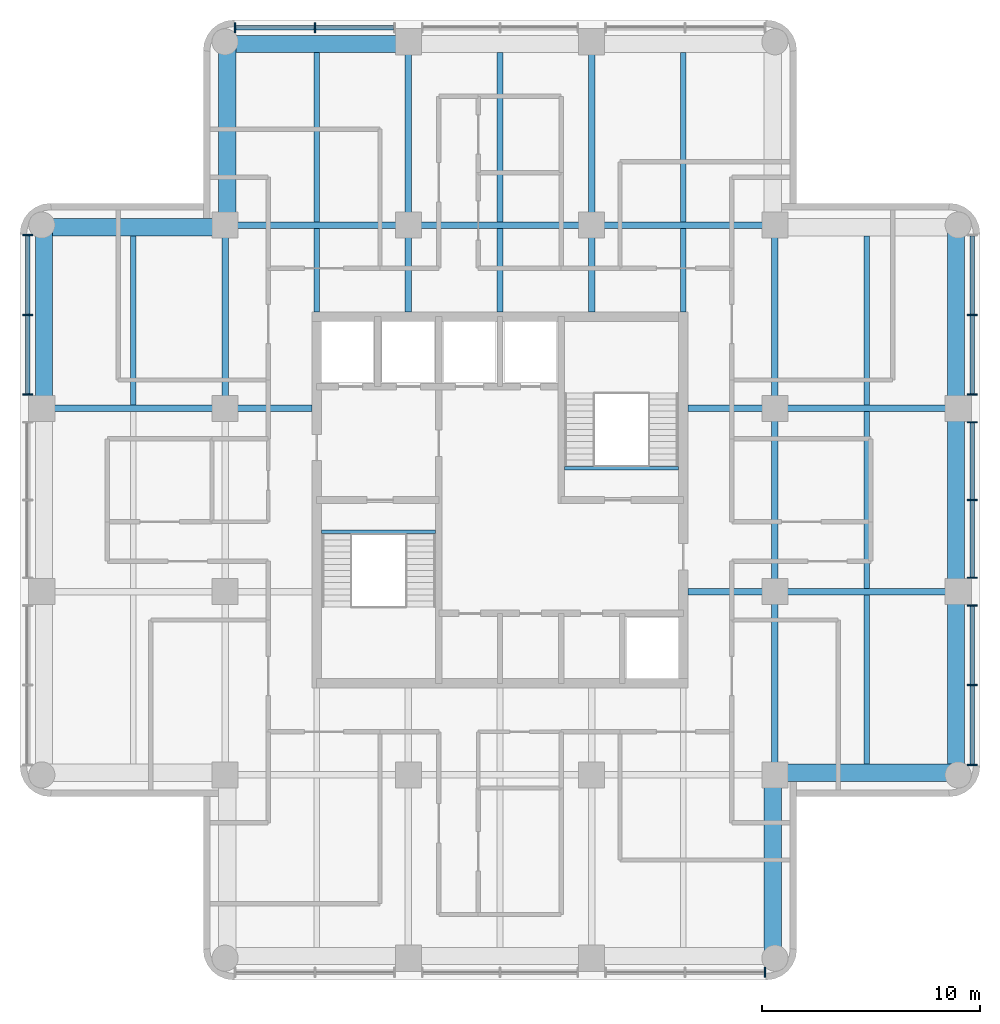
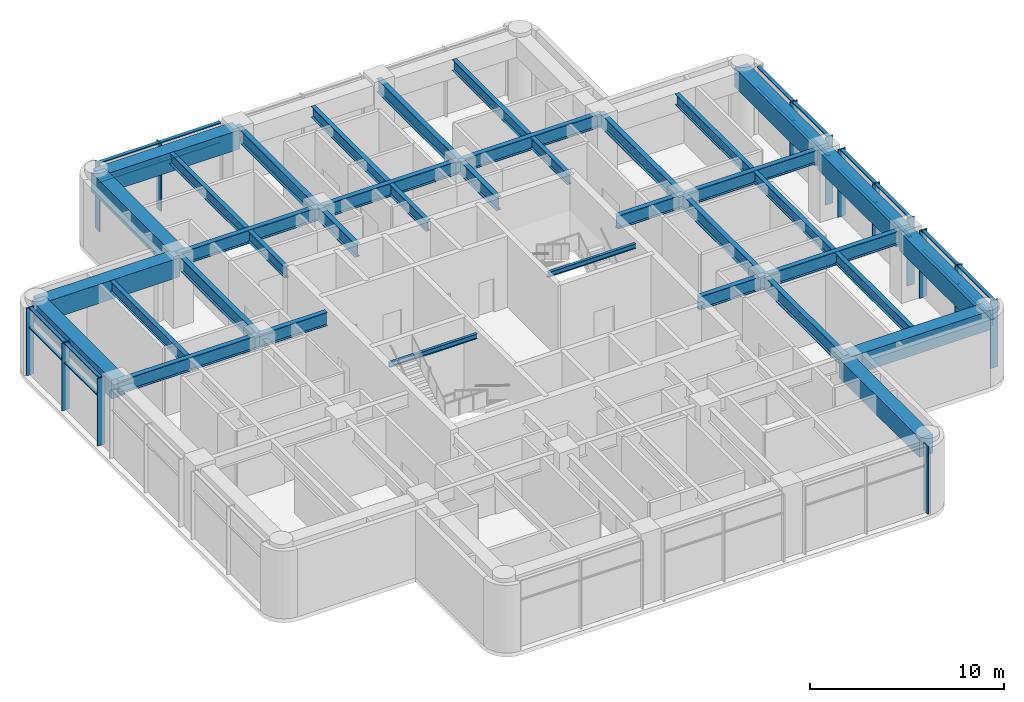
# One storey, part 2 of 8: 38 beams, 34 members, 4 elements without a shape of their own.
"""IFC4 building model written with IfcOpenShell, lengths in metres."""

from ifc_helpers import new_model, si_unit, direction, frame, origin, origin_2d, place, context, subcontext, project, spatial, rectangle, i_section, extrude, material, material_profile, profile_set, type_object, element, aggregate, save


model = new_model("IFC4")

# Units and contexts
model_context = context("Model", 3, precision=1e-05, world=origin(), true_north=direction((0.0, 1.0)))
body_context = subcontext(model_context, "Body", "Model", "MODEL_VIEW")
ifc_project = project(units=[si_unit("LENGTHUNIT", "METRE"), si_unit("AREAUNIT", "SQUARE_METRE"), si_unit("VOLUMEUNIT", "CUBIC_METRE"), si_unit("PLANEANGLEUNIT", "RADIAN"), si_unit("MASSUNIT", "GRAM", prefix="KILO")], contexts=[model_context])

# Site, building, storey
site_placement = place(None, origin())
site = spatial("IfcSite", under=ifc_project, at=site_placement, CompositionType="ELEMENT")
building_placement = place(site_placement, origin())
building = spatial("IfcBuilding", under=site, at=building_placement, Name="Torre Alcanfor", CompositionType="ELEMENT")
storey_placement = place(building_placement, frame((0.0, 0.0, 300.89990234375)))
storey = spatial("IfcBuildingStorey", under=building, at=storey_placement, Name="L79", CompositionType="ELEMENT", Elevation=300.89990234375)

# Curtain wall, members
ifc_material_1 = material(Name="Aluminium and glass", Category="aluminium")
curtain_wall_type = type_object("IfcCurtainWallType", Name="CW-E crown screen", PredefinedType="NOTDEFINED", material=ifc_material_1)
curtain_wall_1_placement = place(storey_placement, origin())
curtain_wall_1 = element("IfcCurtainWall", 1, at=curtain_wall_1_placement, inside=storey, type_object=curtain_wall_type, Name="Curtain wall CW-E L79 2", PredefinedType="NOTDEFINED")
ifc_material_2 = material(Name="Bronze anodised aluminium", Category="aluminium")
ifc_material_profile_1 = material_profile(ifc_material_2, rectangle(XDim=0.449951171875, YDim=0.06494140625, at=origin_2d()), Name="CW-E mullion 65x450")
ifc_profile_set_1 = profile_set([ifc_material_profile_1], Name="Bronze anodised aluminium")
member_type_1 = type_object("IfcMemberType", Name="CW-E mullion with vertical FIN 65x450", PredefinedType="MULLION", material=ifc_profile_set_1)
member_1_placement = place(storey_placement, frame((7.75, 41.537109375, 0.0), z_axis=(0.0, 0.0, 1.0), x_axis=(1.0, 0.0, 0.0)))
member_1 = element("IfcMember", 2, at=member_1_placement, type_object=member_type_1, Name="CW-E mullion 1.1", PredefinedType="MULLION", context=body_context, shape_type="SweptSolid", body=[
    extrude(rectangle(XDim=0.449951171875, YDim=0.06494140625, at=origin_2d()), origin(), (0.0, 0.0, 1.0), 4.25),
])
member_2_placement = place(storey_placement, frame((7.75, 37.88720703125, 0.0), z_axis=(0.0, 0.0, 1.0), x_axis=(1.0, 0.0, 0.0)))
member_2 = element("IfcMember", 3, at=member_2_placement, type_object=member_type_1, Name="CW-E mullion 1.2", PredefinedType="MULLION", context=body_context, shape_type="SweptSolid", body=[
    extrude(rectangle(XDim=0.449951171875, YDim=0.06494140625, at=origin_2d()), origin(), (0.0, 0.0, 1.0), 4.25),
])
member_3_placement = place(storey_placement, frame((7.75, 34.237548828125, 0.0), z_axis=(0.0, 0.0, 1.0), x_axis=(1.0, 0.0, 0.0)))
member_3 = element("IfcMember", 4, at=member_3_placement, type_object=member_type_1, Name="CW-E mullion 1.3", PredefinedType="MULLION", context=body_context, shape_type="SweptSolid", body=[
    extrude(rectangle(XDim=0.449951171875, YDim=0.06494140625, at=origin_2d()), origin(), (0.0, 0.0, 1.0), 4.25),
])

# Curtain wall, member
curtain_wall_2_placement = place(storey_placement, origin())
curtain_wall_2 = element("IfcCurtainWall", 5, at=curtain_wall_2_placement, inside=storey, type_object=curtain_wall_type, Name="Curtain wall CW-E L79 5", PredefinedType="NOTDEFINED")
member_4_placement = place(storey_placement, frame((41.537109375, 7.75, 0.0), z_axis=(0.0, 0.0, 1.0), x_axis=(0.0, 1.0, 0.0)))
member_4 = element("IfcMember", 6, at=member_4_placement, type_object=member_type_1, Name="CW-E mullion 3.3", PredefinedType="MULLION", context=body_context, shape_type="SweptSolid", body=[
    extrude(rectangle(XDim=0.449951171875, YDim=0.06494140625, at=origin_2d()), origin(), (0.0, 0.0, 1.0), 4.25),
])
aggregate(curtain_wall_2, [member_4])

# Curtain wall, members
curtain_wall_3_placement = place(storey_placement, origin())
curtain_wall_3 = element("IfcCurtainWall", 7, at=curtain_wall_3_placement, inside=storey, type_object=curtain_wall_type, Name="Curtain wall CW-E L79 8", PredefinedType="NOTDEFINED")
member_5_placement = place(storey_placement, frame((51.050048828125, 17.262939453125, 0.0), z_axis=(0.0, 0.0, 1.0), x_axis=(-1.0, 0.0, 0.0)))
member_5 = element("IfcMember", 8, at=member_5_placement, type_object=member_type_1, Name="CW-E mullion 1.1", PredefinedType="MULLION", context=body_context, shape_type="SweptSolid", body=[
    extrude(rectangle(XDim=0.449951171875, YDim=0.06494140625, at=origin_2d()), origin(), (0.0, 0.0, 1.0), 4.25),
])
member_6_placement = place(storey_placement, frame((51.050048828125, 20.912841796875, 0.0), z_axis=(0.0, 0.0, 1.0), x_axis=(-1.0, 0.0, 0.0)))
member_6 = element("IfcMember", 9, at=member_6_placement, type_object=member_type_1, Name="CW-E mullion 1.2", PredefinedType="MULLION", context=body_context, shape_type="SweptSolid", body=[
    extrude(rectangle(XDim=0.449951171875, YDim=0.06494140625, at=origin_2d()), origin(), (0.0, 0.0, 1.0), 4.25),
])
member_7_placement = place(storey_placement, frame((51.050048828125, 24.5625, 0.0), z_axis=(0.0, 0.0, 1.0), x_axis=(-1.0, 0.0, 0.0)))
member_7 = element("IfcMember", 10, at=member_7_placement, type_object=member_type_1, Name="CW-E mullion 1.3", PredefinedType="MULLION", context=body_context, shape_type="SweptSolid", body=[
    extrude(rectangle(XDim=0.449951171875, YDim=0.06494140625, at=origin_2d()), origin(), (0.0, 0.0, 1.0), 4.25),
])
member_8_placement = place(storey_placement, frame((51.050048828125, 25.83740234375, 0.0), z_axis=(0.0, 0.0, 1.0), x_axis=(-1.0, 0.0, 0.0)))
member_8 = element("IfcMember", 11, at=member_8_placement, type_object=member_type_1, Name="CW-E mullion 2.1", PredefinedType="MULLION", context=body_context, shape_type="SweptSolid", body=[
    extrude(rectangle(XDim=0.449951171875, YDim=0.06494140625, at=origin_2d()), origin(), (0.0, 0.0, 1.0), 4.25),
])
member_9_placement = place(storey_placement, frame((51.050048828125, 29.39990234375, 0.0), z_axis=(0.0, 0.0, 1.0), x_axis=(-1.0, 0.0, 0.0)))
member_9 = element("IfcMember", 12, at=member_9_placement, type_object=member_type_1, Name="CW-E mullion 2.2", PredefinedType="MULLION", context=body_context, shape_type="SweptSolid", body=[
    extrude(rectangle(XDim=0.449951171875, YDim=0.06494140625, at=origin_2d()), origin(), (0.0, 0.0, 1.0), 4.25),
])
member_10_placement = place(storey_placement, frame((51.050048828125, 32.96240234375, 0.0), z_axis=(0.0, 0.0, 1.0), x_axis=(-1.0, 0.0, 0.0)))
member_10 = element("IfcMember", 13, at=member_10_placement, type_object=member_type_1, Name="CW-E mullion 2.3", PredefinedType="MULLION", context=body_context, shape_type="SweptSolid", body=[
    extrude(rectangle(XDim=0.449951171875, YDim=0.06494140625, at=origin_2d()), origin(), (0.0, 0.0, 1.0), 4.25),
])
member_11_placement = place(storey_placement, frame((51.050048828125, 34.237548828125, 0.0), z_axis=(0.0, 0.0, 1.0), x_axis=(-1.0, 0.0, 0.0)))
member_11 = element("IfcMember", 14, at=member_11_placement, type_object=member_type_1, Name="CW-E mullion 3.1", PredefinedType="MULLION", context=body_context, shape_type="SweptSolid", body=[
    extrude(rectangle(XDim=0.449951171875, YDim=0.06494140625, at=origin_2d()), origin(), (0.0, 0.0, 1.0), 4.25),
])
member_12_placement = place(storey_placement, frame((51.050048828125, 37.88720703125, 0.0), z_axis=(0.0, 0.0, 1.0), x_axis=(-1.0, 0.0, 0.0)))
member_12 = element("IfcMember", 15, at=member_12_placement, type_object=member_type_1, Name="CW-E mullion 3.2", PredefinedType="MULLION", context=body_context, shape_type="SweptSolid", body=[
    extrude(rectangle(XDim=0.449951171875, YDim=0.06494140625, at=origin_2d()), origin(), (0.0, 0.0, 1.0), 4.25),
])

curtain_wall_4_placement = place(storey_placement, origin())
curtain_wall_4 = element("IfcCurtainWall", 16, at=curtain_wall_4_placement, inside=storey, type_object=curtain_wall_type, Name="Curtain wall CW-E L79 11", PredefinedType="NOTDEFINED")
member_13_placement = place(storey_placement, frame((20.912841796875, 51.050048828125, 0.0), z_axis=(0.0, 0.0, 1.0), x_axis=(0.0, -1.0, 0.0)))
member_13 = element("IfcMember", 17, at=member_13_placement, type_object=member_type_1, Name="CW-E mullion 3.2", PredefinedType="MULLION", context=body_context, shape_type="SweptSolid", body=[
    extrude(rectangle(XDim=0.449951171875, YDim=0.06494140625, at=origin_2d()), origin(), (0.0, 0.0, 1.0), 4.25),
])
member_14_placement = place(storey_placement, frame((17.262939453125, 51.050048828125, 0.0), z_axis=(0.0, 0.0, 1.0), x_axis=(0.0, -1.0, 0.0)))
member_14 = element("IfcMember", 18, at=member_14_placement, type_object=member_type_1, Name="CW-E mullion 3.3", PredefinedType="MULLION", context=body_context, shape_type="SweptSolid", body=[
    extrude(rectangle(XDim=0.449951171875, YDim=0.06494140625, at=origin_2d()), origin(), (0.0, 0.0, 1.0), 4.25),
])

# Member
ifc_material_3 = material(Name="Extruded aluminium", Category="aluminium")
ifc_material_profile_2 = material_profile(ifc_material_3, rectangle(XDim=0.199951171875, YDim=0.06494140625, at=origin_2d()), Name="CW-E transom 200x65")
ifc_profile_set_2 = profile_set([ifc_material_profile_2], Name="Extruded aluminium")
member_type_2 = type_object("IfcMemberType", Name="CW-E transom 65x200", PredefinedType="USERDEFINED", material=ifc_profile_set_2)
member_15_placement = place(storey_placement, frame((7.75, 41.50439453125, 3.0), z_axis=(0.0, -1.0, 0.0), x_axis=(1.0, 0.0, 0.0)))
member_15 = element("IfcMember", 19, at=member_15_placement, type_object=member_type_2, Name="CW-E transom 1.1.2", ObjectType="TRANSOM", PredefinedType="USERDEFINED", context=body_context, shape_type="SweptSolid", body=[
    extrude(rectangle(XDim=0.199951171875, YDim=0.06494140625, at=origin_2d()), origin(), (0.0, 0.0, 1.0), 3.584716796875),
])

member_16_placement = place(storey_placement, frame((7.75, 41.50439453125, 4.217529296875), z_axis=(0.0, -1.0, 0.0), x_axis=(1.0, 0.0, 0.0)))
member_16 = element("IfcMember", 20, at=member_16_placement, type_object=member_type_2, Name="CW-E transom 1.1.3", ObjectType="TRANSOM", PredefinedType="USERDEFINED", context=body_context, shape_type="SweptSolid", body=[
    extrude(rectangle(XDim=0.199951171875, YDim=0.06494140625, at=origin_2d()), origin(), (0.0, 0.0, 1.0), 3.584716796875),
])

member_17_placement = place(storey_placement, frame((7.75, 37.854736328125, 3.0), z_axis=(0.0, -1.0, 0.0), x_axis=(1.0, 0.0, 0.0)))
member_17 = element("IfcMember", 21, at=member_17_placement, type_object=member_type_2, Name="CW-E transom 1.2.2", ObjectType="TRANSOM", PredefinedType="USERDEFINED", context=body_context, shape_type="SweptSolid", body=[
    extrude(rectangle(XDim=0.199951171875, YDim=0.06494140625, at=origin_2d()), origin(), (0.0, 0.0, 1.0), 3.584716796875),
])

member_18_placement = place(storey_placement, frame((7.75, 37.854736328125, 4.217529296875), z_axis=(0.0, -1.0, 0.0), x_axis=(1.0, 0.0, 0.0)))
member_18 = element("IfcMember", 22, at=member_18_placement, type_object=member_type_2, Name="CW-E transom 1.2.3", ObjectType="TRANSOM", PredefinedType="USERDEFINED", context=body_context, shape_type="SweptSolid", body=[
    extrude(rectangle(XDim=0.199951171875, YDim=0.06494140625, at=origin_2d()), origin(), (0.0, 0.0, 1.0), 3.584716796875),
])

aggregate(curtain_wall_1, [member_1, member_2, member_3, member_15, member_16, member_17, member_18])

member_19_placement = place(storey_placement, frame((51.050048828125, 17.29541015625, 3.0), z_axis=(0.0, 1.0, 0.0), x_axis=(-1.0, 0.0, 0.0)))
member_19 = element("IfcMember", 23, at=member_19_placement, type_object=member_type_2, Name="CW-E transom 1.1.2", ObjectType="TRANSOM", PredefinedType="USERDEFINED", context=body_context, shape_type="SweptSolid", body=[
    extrude(rectangle(XDim=0.199951171875, YDim=0.06494140625, at=origin_2d()), origin(), (0.0, 0.0, 1.0), 3.5849609375),
])

member_20_placement = place(storey_placement, frame((51.050048828125, 17.29541015625, 4.217529296875), z_axis=(0.0, 1.0, 0.0), x_axis=(-1.0, 0.0, 0.0)))
member_20 = element("IfcMember", 24, at=member_20_placement, type_object=member_type_2, Name="CW-E transom 1.1.3", ObjectType="TRANSOM", PredefinedType="USERDEFINED", context=body_context, shape_type="SweptSolid", body=[
    extrude(rectangle(XDim=0.199951171875, YDim=0.06494140625, at=origin_2d()), origin(), (0.0, 0.0, 1.0), 3.5849609375),
])

member_21_placement = place(storey_placement, frame((51.050048828125, 20.9453125, 3.0), z_axis=(0.0, 1.0, 0.0), x_axis=(-1.0, 0.0, 0.0)))
member_21 = element("IfcMember", 25, at=member_21_placement, type_object=member_type_2, Name="CW-E transom 1.2.2", ObjectType="TRANSOM", PredefinedType="USERDEFINED", context=body_context, shape_type="SweptSolid", body=[
    extrude(rectangle(XDim=0.199951171875, YDim=0.06494140625, at=origin_2d()), origin(), (0.0, 0.0, 1.0), 3.584716796875),
])

member_22_placement = place(storey_placement, frame((51.050048828125, 20.9453125, 4.217529296875), z_axis=(0.0, 1.0, 0.0), x_axis=(-1.0, 0.0, 0.0)))
member_22 = element("IfcMember", 26, at=member_22_placement, type_object=member_type_2, Name="CW-E transom 1.2.3", ObjectType="TRANSOM", PredefinedType="USERDEFINED", context=body_context, shape_type="SweptSolid", body=[
    extrude(rectangle(XDim=0.199951171875, YDim=0.06494140625, at=origin_2d()), origin(), (0.0, 0.0, 1.0), 3.584716796875),
])

member_23_placement = place(storey_placement, frame((51.050048828125, 25.8701171875, 3.0), z_axis=(0.0, 1.0, 0.0), x_axis=(-1.0, 0.0, 0.0)))
member_23 = element("IfcMember", 27, at=member_23_placement, type_object=member_type_2, Name="CW-E transom 2.1.2", ObjectType="TRANSOM", PredefinedType="USERDEFINED", context=body_context, shape_type="SweptSolid", body=[
    extrude(rectangle(XDim=0.199951171875, YDim=0.06494140625, at=origin_2d()), origin(), (0.0, 0.0, 1.0), 3.497314453125),
])

member_24_placement = place(storey_placement, frame((51.050048828125, 25.8701171875, 4.217529296875), z_axis=(0.0, 1.0, 0.0), x_axis=(-1.0, 0.0, 0.0)))
member_24 = element("IfcMember", 28, at=member_24_placement, type_object=member_type_2, Name="CW-E transom 2.1.3", ObjectType="TRANSOM", PredefinedType="USERDEFINED", context=body_context, shape_type="SweptSolid", body=[
    extrude(rectangle(XDim=0.199951171875, YDim=0.06494140625, at=origin_2d()), origin(), (0.0, 0.0, 1.0), 3.497314453125),
])

member_25_placement = place(storey_placement, frame((51.050048828125, 29.4326171875, 3.0), z_axis=(0.0, 1.0, 0.0), x_axis=(-1.0, 0.0, 0.0)))
member_25 = element("IfcMember", 29, at=member_25_placement, type_object=member_type_2, Name="CW-E transom 2.2.2", ObjectType="TRANSOM", PredefinedType="USERDEFINED", context=body_context, shape_type="SweptSolid", body=[
    extrude(rectangle(XDim=0.199951171875, YDim=0.06494140625, at=origin_2d()), origin(), (0.0, 0.0, 1.0), 3.497314453125),
])

member_26_placement = place(storey_placement, frame((51.050048828125, 29.4326171875, 4.217529296875), z_axis=(0.0, 1.0, 0.0), x_axis=(-1.0, 0.0, 0.0)))
member_26 = element("IfcMember", 30, at=member_26_placement, type_object=member_type_2, Name="CW-E transom 2.2.3", ObjectType="TRANSOM", PredefinedType="USERDEFINED", context=body_context, shape_type="SweptSolid", body=[
    extrude(rectangle(XDim=0.199951171875, YDim=0.06494140625, at=origin_2d()), origin(), (0.0, 0.0, 1.0), 3.497314453125),
])

member_27_placement = place(storey_placement, frame((51.050048828125, 34.27001953125, 3.0), z_axis=(0.0, 1.0, 0.0), x_axis=(-1.0, 0.0, 0.0)))
member_27 = element("IfcMember", 31, at=member_27_placement, type_object=member_type_2, Name="CW-E transom 3.1.2", ObjectType="TRANSOM", PredefinedType="USERDEFINED", context=body_context, shape_type="SweptSolid", body=[
    extrude(rectangle(XDim=0.199951171875, YDim=0.06494140625, at=origin_2d()), origin(), (0.0, 0.0, 1.0), 3.584716796875),
])

member_28_placement = place(storey_placement, frame((51.050048828125, 34.27001953125, 4.217529296875), z_axis=(0.0, 1.0, 0.0), x_axis=(-1.0, 0.0, 0.0)))
member_28 = element("IfcMember", 32, at=member_28_placement, type_object=member_type_2, Name="CW-E transom 3.1.3", ObjectType="TRANSOM", PredefinedType="USERDEFINED", context=body_context, shape_type="SweptSolid", body=[
    extrude(rectangle(XDim=0.199951171875, YDim=0.06494140625, at=origin_2d()), origin(), (0.0, 0.0, 1.0), 3.584716796875),
])

member_29_placement = place(storey_placement, frame((51.050048828125, 37.919677734375, 3.0), z_axis=(0.0, 1.0, 0.0), x_axis=(-1.0, 0.0, 0.0)))
member_29 = element("IfcMember", 33, at=member_29_placement, type_object=member_type_2, Name="CW-E transom 3.2.2", ObjectType="TRANSOM", PredefinedType="USERDEFINED", context=body_context, shape_type="SweptSolid", body=[
    extrude(rectangle(XDim=0.199951171875, YDim=0.06494140625, at=origin_2d()), origin(), (0.0, 0.0, 1.0), 3.584716796875),
])

member_30_placement = place(storey_placement, frame((51.050048828125, 37.919677734375, 4.217529296875), z_axis=(0.0, 1.0, 0.0), x_axis=(-1.0, 0.0, 0.0)))
member_30 = element("IfcMember", 34, at=member_30_placement, type_object=member_type_2, Name="CW-E transom 3.2.3", ObjectType="TRANSOM", PredefinedType="USERDEFINED", context=body_context, shape_type="SweptSolid", body=[
    extrude(rectangle(XDim=0.199951171875, YDim=0.06494140625, at=origin_2d()), origin(), (0.0, 0.0, 1.0), 3.584716796875),
])

aggregate(curtain_wall_3, [member_5, member_6, member_7, member_19, member_20, member_21, member_22, member_8, member_9, member_10, member_23, member_24, member_25, member_26, member_11, member_12, member_27, member_28, member_29, member_30])

member_31_placement = place(storey_placement, frame((24.530029296875, 51.050048828125, 3.0), z_axis=(-1.0, 0.0, 0.0), x_axis=(0.0, -1.0, 0.0)))
member_31 = element("IfcMember", 35, at=member_31_placement, type_object=member_type_2, Name="CW-E transom 3.1.2", ObjectType="TRANSOM", PredefinedType="USERDEFINED", context=body_context, shape_type="SweptSolid", body=[
    extrude(rectangle(XDim=0.199951171875, YDim=0.06494140625, at=origin_2d()), origin(), (0.0, 0.0, 1.0), 3.584716796875),
])

member_32_placement = place(storey_placement, frame((24.530029296875, 51.050048828125, 4.217529296875), z_axis=(-1.0, 0.0, 0.0), x_axis=(0.0, -1.0, 0.0)))
member_32 = element("IfcMember", 36, at=member_32_placement, type_object=member_type_2, Name="CW-E transom 3.1.3", ObjectType="TRANSOM", PredefinedType="USERDEFINED", context=body_context, shape_type="SweptSolid", body=[
    extrude(rectangle(XDim=0.199951171875, YDim=0.06494140625, at=origin_2d()), origin(), (0.0, 0.0, 1.0), 3.584716796875),
])

member_33_placement = place(storey_placement, frame((20.88037109375, 51.050048828125, 3.0), z_axis=(-1.0, 0.0, 0.0), x_axis=(0.0, -1.0, 0.0)))
member_33 = element("IfcMember", 37, at=member_33_placement, type_object=member_type_2, Name="CW-E transom 3.2.2", ObjectType="TRANSOM", PredefinedType="USERDEFINED", context=body_context, shape_type="SweptSolid", body=[
    extrude(rectangle(XDim=0.199951171875, YDim=0.06494140625, at=origin_2d()), origin(), (0.0, 0.0, 1.0), 3.5849609375),
])

member_34_placement = place(storey_placement, frame((20.88037109375, 51.050048828125, 4.217529296875), z_axis=(-1.0, 0.0, 0.0), x_axis=(0.0, -1.0, 0.0)))
member_34 = element("IfcMember", 38, at=member_34_placement, type_object=member_type_2, Name="CW-E transom 3.2.3", ObjectType="TRANSOM", PredefinedType="USERDEFINED", context=body_context, shape_type="SweptSolid", body=[
    extrude(rectangle(XDim=0.199951171875, YDim=0.06494140625, at=origin_2d()), origin(), (0.0, 0.0, 1.0), 3.5849609375),
])

aggregate(curtain_wall_4, [member_13, member_14, member_31, member_32, member_33, member_34])

# Beams
ifc_material_4 = material(Name="Steel ASTM A992 Grade 50", Category="steel")
ifc_material_profile_3 = material_profile(ifc_material_4, i_section(OverallWidth=0.2919921875, OverallDepth=0.8408203125, WebThickness=0.0146484375, FlangeThickness=0.021728515625, at=origin_2d()), Name="W33x130")
ifc_profile_set_3 = profile_set([ifc_material_profile_3], Name="Steel ASTM A992 Grade 50")
beam_type_1 = type_object("IfcBeamType", Name="Girder W33x130", PredefinedType="BEAM", material=ifc_profile_set_3)
beam_1_placement = place(storey_placement, frame((42.0, 25.199951171875, 3.829833984375), z_axis=(1.0, 0.0, 0.0), x_axis=(0.0, 1.0, 0.0)))
element("IfcBeam", 39, at=beam_1_placement, inside=storey, type_object=beam_type_1, Name="Beam 6F-7F under L80", PredefinedType="BEAM", context=body_context, shape_type="SweptSolid", body=[
    extrude(i_section(OverallWidth=0.2919921875, OverallDepth=0.8408203125, WebThickness=0.0146484375, FlangeThickness=0.021728515625, at=origin_2d()), origin(), (0.0, 0.0, 1.0), 8.39990234375),
])
beam_2_placement = place(storey_placement, frame((8.39990234375, 33.60009765625, 3.829833984375), z_axis=(1.0, 0.0, 0.0), x_axis=(0.0, 1.0, 0.0)))
element("IfcBeam", 40, at=beam_2_placement, inside=storey, type_object=beam_type_1, Name="Beam 2G-3G under L80", PredefinedType="BEAM", context=body_context, shape_type="SweptSolid", body=[
    extrude(i_section(OverallWidth=0.2919921875, OverallDepth=0.8408203125, WebThickness=0.0146484375, FlangeThickness=0.021728515625, at=origin_2d()), origin(), (0.0, 0.0, 1.0), 8.400146484375),
])
for number, where, z_axis, x_axis, name in (
    (41, (42.0, 33.60009765625, 3.829833984375), (1.0, 0.0, 0.0), (0.0, 1.0, 0.0), "Beam 6G-7G under L80"),
    (42, (16.800048828125, 42.0, 3.829833984375), (1.0, 0.0, 0.0), (0.0, 1.0, 0.0), "Beam 3H-4H under L80"),
):
    element("IfcBeam", number, at=place(storey_placement, frame(where, z_axis=z_axis, x_axis=x_axis)), inside=storey, type_object=beam_type_1, Name=name, PredefinedType="BEAM", context=body_context, shape_type="SweptSolid", body=[
        extrude(i_section(OverallWidth=0.2919921875, OverallDepth=0.8408203125, WebThickness=0.0146484375, FlangeThickness=0.021728515625, at=origin_2d()), origin(), (0.0, 0.0, 1.0), 8.39990234375),
    ])
beam_3_placement = place(storey_placement, frame((25.199951171875, 42.0, 3.829833984375), z_axis=(1.0, 0.0, 0.0), x_axis=(0.0, 1.0, 0.0)))
element("IfcBeam", 43, at=beam_3_placement, inside=storey, type_object=beam_type_1, Name="Beam 4H-5H under L80", PredefinedType="BEAM", context=body_context, shape_type="SweptSolid", body=[
    extrude(i_section(OverallWidth=0.2919921875, OverallDepth=0.8408203125, WebThickness=0.0146484375, FlangeThickness=0.021728515625, at=origin_2d()), origin(), (0.0, 0.0, 1.0), 8.400146484375),
])
for number, where, z_axis, x_axis, name in (
    (44, (33.60009765625, 42.0, 3.829833984375), (1.0, 0.0, 0.0), (0.0, 1.0, 0.0), "Beam 5H-6H under L80"),
    (45, (16.800048828125, 33.60009765625, 3.829833984375), (0.0, 1.0, 0.0), (-1.0, 0.0, 0.0), "Beam 3G-3H under L80"),
    (46, (25.199951171875, 42.0, 3.829833984375), (0.0, 1.0, 0.0), (-1.0, 0.0, 0.0), "Beam 4H-4J under L80"),
    (47, (33.60009765625, 42.0, 3.829833984375), (0.0, 1.0, 0.0), (-1.0, 0.0, 0.0), "Beam 5H-5J under L80"),
    (48, (42.0, 16.800048828125, 3.829833984375), (0.0, 1.0, 0.0), (-1.0, 0.0, 0.0), "Beam 6E-6F under L80"),
):
    element("IfcBeam", number, at=place(storey_placement, frame(where, z_axis=z_axis, x_axis=x_axis)), inside=storey, type_object=beam_type_1, Name=name, PredefinedType="BEAM", context=body_context, shape_type="SweptSolid", body=[
        extrude(i_section(OverallWidth=0.2919921875, OverallDepth=0.8408203125, WebThickness=0.0146484375, FlangeThickness=0.021728515625, at=origin_2d()), origin(), (0.0, 0.0, 1.0), 8.39990234375),
    ])
beam_4_placement = place(storey_placement, frame((42.0, 25.199951171875, 3.829833984375), z_axis=(0.0, 1.0, 0.0), x_axis=(-1.0, 0.0, 0.0)))
element("IfcBeam", 49, at=beam_4_placement, inside=storey, type_object=beam_type_1, Name="Beam 6F-6G under L80", PredefinedType="BEAM", context=body_context, shape_type="SweptSolid", body=[
    extrude(i_section(OverallWidth=0.2919921875, OverallDepth=0.8408203125, WebThickness=0.0146484375, FlangeThickness=0.021728515625, at=origin_2d()), origin(), (0.0, 0.0, 1.0), 8.400146484375),
])
beam_5_placement = place(storey_placement, frame((42.0, 33.60009765625, 3.829833984375), z_axis=(0.0, 1.0, 0.0), x_axis=(-1.0, 0.0, 0.0)))
element("IfcBeam", 50, at=beam_5_placement, inside=storey, type_object=beam_type_1, Name="Beam 6G-6H under L80", PredefinedType="BEAM", context=body_context, shape_type="SweptSolid", body=[
    extrude(i_section(OverallWidth=0.2919921875, OverallDepth=0.8408203125, WebThickness=0.0146484375, FlangeThickness=0.021728515625, at=origin_2d()), origin(), (0.0, 0.0, 1.0), 8.39990234375),
])
ifc_material_5 = material(Name="Steel ASTM A992 Grade 50", Category="steel")
ifc_material_profile_4 = material_profile(ifc_material_5, i_section(OverallWidth=0.2919921875, OverallDepth=0.8408203125, WebThickness=0.0146484375, FlangeThickness=0.021728515625, at=origin_2d()), Name="W33x130")
ifc_profile_set_4 = profile_set([ifc_material_profile_4], Name="Steel ASTM A992 Grade 50")
beam_type_2 = type_object("IfcBeamType", Name="Girder, part bay W33x130", PredefinedType="BEAM", material=ifc_profile_set_4)
for number, where, z_axis, x_axis, name in (
    (51, (25.199951171875, 42.0, 3.829833984375), (0.0, -1.0, 0.0), (1.0, 0.0, 0.0), "Beam 4H-438_025 under L80"),
    (52, (33.60009765625, 42.0, 3.829833984375), (0.0, -1.0, 0.0), (1.0, 0.0, 0.0), "Beam 5H-538_025 under L80"),
    (53, (42.0, 25.199951171875, 3.829833984375), (-1.0, 0.0, 0.0), (0.0, -1.0, 0.0), "Beam 6F-38_025F under L80"),
):
    element("IfcBeam", number, at=place(storey_placement, frame(where, z_axis=z_axis, x_axis=x_axis)), inside=storey, type_object=beam_type_2, Name=name, PredefinedType="BEAM", context=body_context, shape_type="SweptSolid", body=[
        extrude(i_section(OverallWidth=0.2919921875, OverallDepth=0.8408203125, WebThickness=0.0146484375, FlangeThickness=0.021728515625, at=origin_2d()), origin(), (0.0, 0.0, 1.0), 3.97509765625),
    ])
beam_6_placement = place(storey_placement, frame((16.800048828125, 33.60009765625, 3.829833984375), z_axis=(1.0, 0.0, 0.0), x_axis=(0.0, 1.0, 0.0)))
element("IfcBeam", 54, at=beam_6_placement, inside=storey, type_object=beam_type_2, Name="Beam 3G-20_775G under L80", PredefinedType="BEAM", context=body_context, shape_type="SweptSolid", body=[
    extrude(i_section(OverallWidth=0.2919921875, OverallDepth=0.8408203125, WebThickness=0.0146484375, FlangeThickness=0.021728515625, at=origin_2d()), origin(), (0.0, 0.0, 1.0), 3.974853515625),
])
beam_7_placement = place(storey_placement, frame((42.0, 33.60009765625, 3.829833984375), z_axis=(-1.0, 0.0, 0.0), x_axis=(0.0, -1.0, 0.0)))
element("IfcBeam", 55, at=beam_7_placement, inside=storey, type_object=beam_type_2, Name="Beam 6G-38_025G under L80", PredefinedType="BEAM", context=body_context, shape_type="SweptSolid", body=[
    extrude(i_section(OverallWidth=0.2919921875, OverallDepth=0.8408203125, WebThickness=0.0146484375, FlangeThickness=0.021728515625, at=origin_2d()), origin(), (0.0, 0.0, 1.0), 3.97509765625),
])
ifc_material_6 = material(Name="Concrete f'c 70 MPa", Category="concrete")
ifc_material_profile_5 = material_profile(ifc_material_6, rectangle(XDim=0.800048828125, YDim=1.199951171875, at=origin_2d()), Name="800x1200")
ifc_profile_set_5 = profile_set([ifc_material_profile_5], Name="Concrete f'c 70 MPa")
beam_type_3 = type_object("IfcBeamType", Name="RC perimeter beam 800x1200", PredefinedType="BEAM", material=ifc_profile_set_5)
beam_8_placement = place(storey_placement, frame((42.14599609375, 16.89990234375, 3.650146484375), z_axis=(1.0, 0.0, 0.0), x_axis=(0.0, 1.0, 0.0)))
element("IfcBeam", 56, at=beam_8_placement, inside=storey, type_object=beam_type_3, Name="Beam 6E-7E under L80", PredefinedType="BEAM", context=body_context, shape_type="SweptSolid", body=[
    extrude(rectangle(XDim=0.800048828125, YDim=1.199951171875, at=origin_2d()), origin(), (0.0, 0.0, 1.0), 8.25390625),
])
beam_9_placement = place(storey_placement, frame((8.39990234375, 41.89990234375, 3.650146484375), z_axis=(1.0, 0.0, 0.0), x_axis=(0.0, 1.0, 0.0)))
element("IfcBeam", 57, at=beam_9_placement, inside=storey, type_object=beam_type_3, Name="Beam 2H-3H under L80", PredefinedType="BEAM", context=body_context, shape_type="SweptSolid", body=[
    extrude(rectangle(XDim=0.800048828125, YDim=1.199951171875, at=origin_2d()), origin(), (0.0, 0.0, 1.0), 8.254150390625),
])
for number, where, z_axis, x_axis, name in (
    (58, (16.800048828125, 50.300048828125, 3.650146484375), (1.0, 0.0, 0.0), (0.0, 1.0, 0.0), "Beam 3J-4J under L80"),
    (59, (8.5, 33.74609375, 3.650146484375), (0.0, 1.0, 0.0), (-1.0, 0.0, 0.0), "Beam 2G-2H under L80"),
    (60, (16.89990234375, 42.14599609375, 3.650146484375), (0.0, 1.0, 0.0), (-1.0, 0.0, 0.0), "Beam 3H-3J under L80"),
):
    element("IfcBeam", number, at=place(storey_placement, frame(where, z_axis=z_axis, x_axis=x_axis)), inside=storey, type_object=beam_type_3, Name=name, PredefinedType="BEAM", context=body_context, shape_type="SweptSolid", body=[
        extrude(rectangle(XDim=0.800048828125, YDim=1.199951171875, at=origin_2d()), origin(), (0.0, 0.0, 1.0), 8.25390625),
    ])
beam_10_placement = place(storey_placement, frame((41.89990234375, 8.39990234375, 3.650146484375), z_axis=(0.0, 1.0, 0.0), x_axis=(-1.0, 0.0, 0.0)))
element("IfcBeam", 61, at=beam_10_placement, inside=storey, type_object=beam_type_3, Name="Beam 6D-6E under L80", PredefinedType="BEAM", context=body_context, shape_type="SweptSolid", body=[
    extrude(rectangle(XDim=0.800048828125, YDim=1.199951171875, at=origin_2d()), origin(), (0.0, 0.0, 1.0), 8.254150390625),
])
beam_11_placement = place(storey_placement, frame((50.300048828125, 16.800048828125, 3.650146484375), z_axis=(0.0, 1.0, 0.0), x_axis=(-1.0, 0.0, 0.0)))
element("IfcBeam", 62, at=beam_11_placement, inside=storey, type_object=beam_type_3, Name="Beam 7E-7F under L80", PredefinedType="BEAM", context=body_context, shape_type="SweptSolid", body=[
    extrude(rectangle(XDim=0.800048828125, YDim=1.199951171875, at=origin_2d()), origin(), (0.0, 0.0, 1.0), 8.25390625),
])
beam_12_placement = place(storey_placement, frame((50.300048828125, 25.345947265625, 3.650146484375), z_axis=(0.0, 1.0, 0.0), x_axis=(-1.0, 0.0, 0.0)))
element("IfcBeam", 63, at=beam_12_placement, inside=storey, type_object=beam_type_3, Name="Beam 7F-7G under L80", PredefinedType="BEAM", context=body_context, shape_type="SweptSolid", body=[
    extrude(rectangle(XDim=0.800048828125, YDim=1.199951171875, at=origin_2d()), origin(), (0.0, 0.0, 1.0), 8.108154296875),
])
beam_13_placement = place(storey_placement, frame((50.300048828125, 33.74609375, 3.650146484375), z_axis=(0.0, 1.0, 0.0), x_axis=(-1.0, 0.0, 0.0)))
element("IfcBeam", 64, at=beam_13_placement, inside=storey, type_object=beam_type_3, Name="Beam 7G-7H under L80", PredefinedType="BEAM", context=body_context, shape_type="SweptSolid", body=[
    extrude(rectangle(XDim=0.800048828125, YDim=1.199951171875, at=origin_2d()), origin(), (0.0, 0.0, 1.0), 8.25390625),
])
ifc_material_7 = material(Name="Steel ASTM A992 Grade 50", Category="steel")
ifc_material_profile_6 = material_profile(ifc_material_7, i_section(OverallWidth=0.25390625, OverallDepth=0.683349609375, WebThickness=0.012451171875, FlangeThickness=0.01904296875, at=origin_2d()), Name="W27x94")
ifc_profile_set_6 = profile_set([ifc_material_profile_6], Name="Steel ASTM A992 Grade 50")
beam_type_4 = type_object("IfcBeamType", Name="Secondary beam W27x94", PredefinedType="BEAM", material=ifc_profile_set_6)
for number, where, z_axis, x_axis, name in (
    (65, (12.60009765625, 33.74609375, 3.908447265625), (0.0, 1.0, 0.0), (-1.0, 0.0, 0.0), "Beam 12_6G-12_6H under L80"),
    (66, (21.0, 42.14599609375, 3.908447265625), (0.0, 1.0, 0.0), (-1.0, 0.0, 0.0), "Beam 21H-21J under L80"),
    (67, (29.39990234375, 42.14599609375, 3.908447265625), (0.0, 1.0, 0.0), (-1.0, 0.0, 0.0), "Beam 29_4H-29_4J under L80"),
    (68, (37.800048828125, 42.14599609375, 3.908447265625), (0.0, 1.0, 0.0), (-1.0, 0.0, 0.0), "Beam 37_8H-37_8J under L80"),
    (69, (46.199951171875, 17.300048828125, 3.908447265625), (0.0, 1.0, 0.0), (-1.0, 0.0, 0.0), "Beam 46_2E-46_2F under L80"),
):
    element("IfcBeam", number, at=place(storey_placement, frame(where, z_axis=z_axis, x_axis=x_axis)), inside=storey, type_object=beam_type_4, Name=name, PredefinedType="BEAM", context=body_context, shape_type="SweptSolid", body=[
        extrude(i_section(OverallWidth=0.25390625, OverallDepth=0.683349609375, WebThickness=0.012451171875, FlangeThickness=0.01904296875, at=origin_2d()), origin(), (0.0, 0.0, 1.0), 7.75390625),
    ])
beam_14_placement = place(storey_placement, frame((46.199951171875, 25.345947265625, 3.908447265625), z_axis=(0.0, 1.0, 0.0), x_axis=(-1.0, 0.0, 0.0)))
element("IfcBeam", 70, at=beam_14_placement, inside=storey, type_object=beam_type_4, Name="Beam 46_2F-46_2G under L80", PredefinedType="BEAM", context=body_context, shape_type="SweptSolid", body=[
    extrude(i_section(OverallWidth=0.25390625, OverallDepth=0.683349609375, WebThickness=0.012451171875, FlangeThickness=0.01904296875, at=origin_2d()), origin(), (0.0, 0.0, 1.0), 8.108154296875),
])
beam_15_placement = place(storey_placement, frame((46.199951171875, 33.74609375, 3.908447265625), z_axis=(0.0, 1.0, 0.0), x_axis=(-1.0, 0.0, 0.0)))
element("IfcBeam", 71, at=beam_15_placement, inside=storey, type_object=beam_type_4, Name="Beam 46_2G-46_2H under L80", PredefinedType="BEAM", context=body_context, shape_type="SweptSolid", body=[
    extrude(i_section(OverallWidth=0.25390625, OverallDepth=0.683349609375, WebThickness=0.012451171875, FlangeThickness=0.01904296875, at=origin_2d()), origin(), (0.0, 0.0, 1.0), 7.75390625),
])
ifc_material_8 = material(Name="Steel ASTM A992 Grade 50", Category="steel")
ifc_material_profile_7 = material_profile(ifc_material_8, i_section(OverallWidth=0.25390625, OverallDepth=0.683349609375, WebThickness=0.012451171875, FlangeThickness=0.01904296875, at=origin_2d()), Name="W27x94")
ifc_profile_set_7 = profile_set([ifc_material_profile_7], Name="Steel ASTM A992 Grade 50")
beam_type_5 = type_object("IfcBeamType", Name="Secondary beam, part bay W27x94", PredefinedType="BEAM", material=ifc_profile_set_7)
for number, where, z_axis, x_axis, name in (
    (72, (21.0, 38.02490234375, 3.908447265625), (0.0, 1.0, 0.0), (-1.0, 0.0, 0.0), "Beam 2138_025-21H under L80"),
    (73, (29.39990234375, 38.02490234375, 3.908447265625), (0.0, 1.0, 0.0), (-1.0, 0.0, 0.0), "Beam 29_438_025-29_4H under L80"),
    (74, (37.800048828125, 38.02490234375, 3.908447265625), (0.0, 1.0, 0.0), (-1.0, 0.0, 0.0), "Beam 37_838_025-37_8H under L80"),
):
    element("IfcBeam", number, at=place(storey_placement, frame(where, z_axis=z_axis, x_axis=x_axis)), inside=storey, type_object=beam_type_5, Name=name, PredefinedType="BEAM", context=body_context, shape_type="SweptSolid", body=[
        extrude(i_section(OverallWidth=0.25390625, OverallDepth=0.683349609375, WebThickness=0.012451171875, FlangeThickness=0.01904296875, at=origin_2d()), origin(), (0.0, 0.0, 1.0), 3.8291015625),
    ])
ifc_material_9 = material(Name="Steel ASTM A992 Grade 50", Category="steel")
ifc_material_profile_8 = material_profile(ifc_material_9, i_section(OverallWidth=0.164794921875, OverallDepth=0.309814453125, WebThickness=0.005859375, FlangeThickness=0.009765625, at=origin_2d()), Name="W12x26")
ifc_profile_set_8 = profile_set([ifc_material_profile_8], Name="Steel ASTM A992 Grade 50")
beam_type_6 = type_object("IfcBeamType", Name="Stair landing beam W12x26", PredefinedType="BEAM", material=ifc_profile_set_8)
for number, where, z_axis, x_axis, name in (
    (75, (21.22509765625, 27.9375, 4.145263671875), (1.0, 0.0, 0.0), (0.0, 1.0, 0.0), "Landing trimmer S1 L80"),
    (76, (32.35009765625, 30.862548828125, 4.145263671875), (1.0, 0.0, 0.0), (0.0, 1.0, 0.0), "Landing trimmer S2 L80"),
):
    element("IfcBeam", number, at=place(storey_placement, frame(where, z_axis=z_axis, x_axis=x_axis)), inside=storey, type_object=beam_type_6, Name=name, PredefinedType="BEAM", context=body_context, shape_type="SweptSolid", body=[
        extrude(i_section(OverallWidth=0.164794921875, OverallDepth=0.309814453125, WebThickness=0.005859375, FlangeThickness=0.009765625, at=origin_2d()), origin(), (0.0, 0.0, 1.0), 5.224853515625),
    ])

save(model, "model.ifc")
